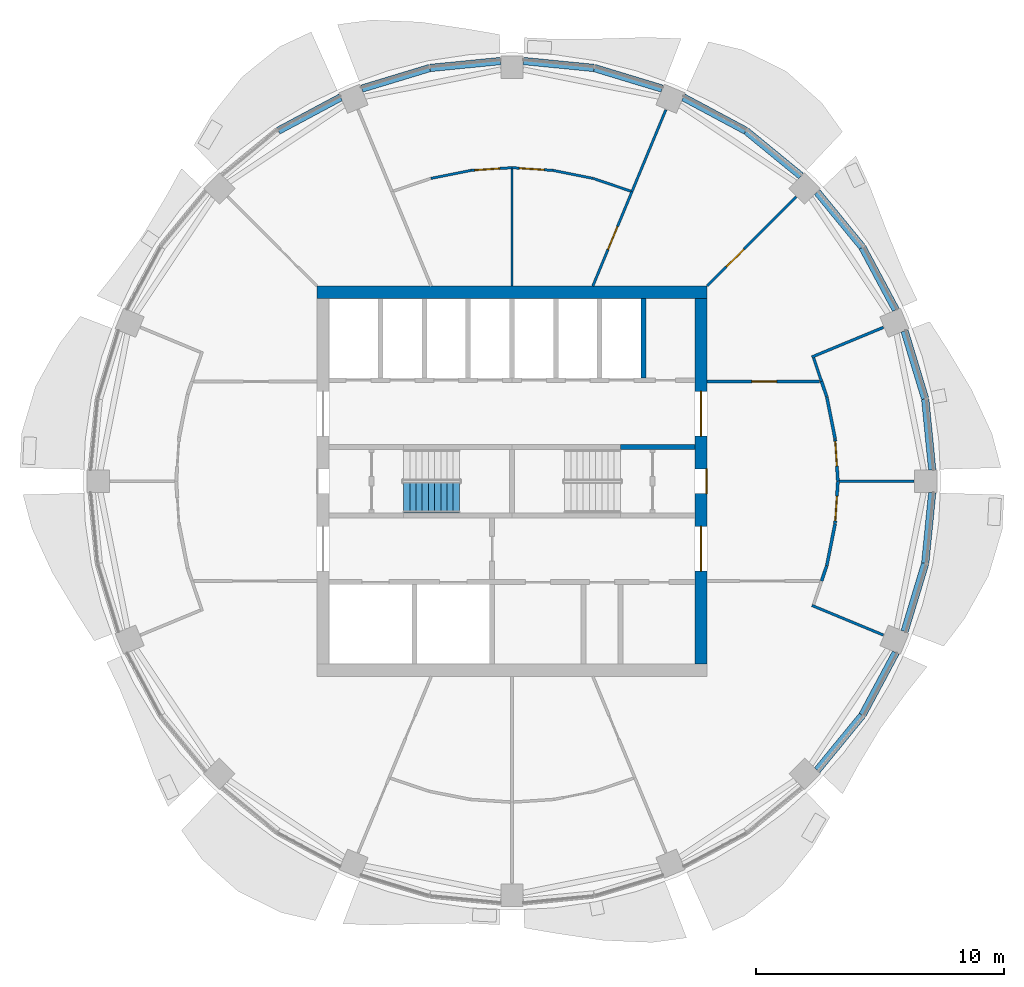
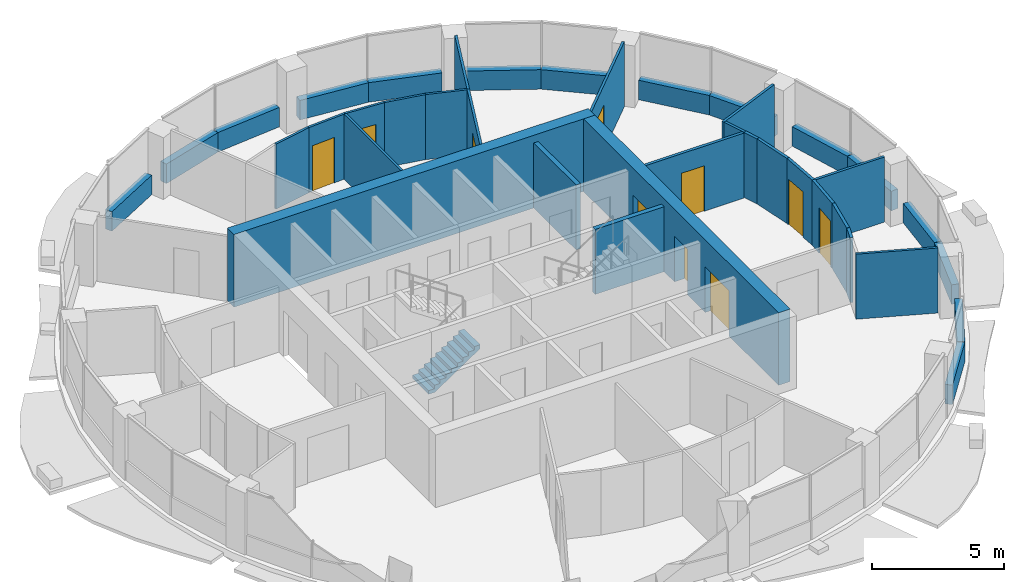
# One storey, part 10 of 15: 39 walls, 10 doors, 1 stair flight, 10 openings, 1 element without a shape of its own.
"""IFC4 building model written with IfcOpenShell, lengths in metres."""

from ifc_helpers import new_model, si_unit, direction, frame, frame_2d, origin, place, context, subcontext, project, spatial, polyline, rectangle, outline, extrude, material, layer, layer_set, type_object, element, fill, aggregate, save


model = new_model("IFC4")

# Units and contexts
model_context = context("Model", 3, precision=1e-05, world=origin(), true_north=direction((0.0, 1.0)))
body_context = subcontext(model_context, "Body", "Model", "MODEL_VIEW")
ifc_project = project(units=[si_unit("LENGTHUNIT", "METRE"), si_unit("AREAUNIT", "SQUARE_METRE"), si_unit("VOLUMEUNIT", "CUBIC_METRE"), si_unit("PLANEANGLEUNIT", "RADIAN"), si_unit("MASSUNIT", "GRAM", prefix="KILO")], contexts=[model_context])

# Site, building, storey
site_placement = place(None, origin())
site = spatial("IfcSite", under=ifc_project, at=site_placement, CompositionType="ELEMENT")
building_placement = place(site_placement, origin())
building = spatial("IfcBuilding", under=site, at=building_placement, Name="Polderwave Tower", CompositionType="ELEMENT")
storey_placement = place(building_placement, frame((0.0, 0.0, 201.050048828125)))
storey = spatial("IfcBuildingStorey", under=building, at=storey_placement, Name="L54", CompositionType="ELEMENT", Elevation=201.050048828125)

# Wall
ifc_material_1 = material(Name="Concrete C60/75", Category="concrete")
ifc_layer_1 = layer(ifc_material_1, 0.5)
ifc_layer_set_1 = layer_set([ifc_layer_1], Name="CORE WALL 500 C60/75")
wall_type_1 = type_object("IfcWallType", Name="CORE WALL 500 C60/75", PredefinedType="SHEAR", material=ifc_layer_set_1)
wall_1_placement = place(storey_placement, frame((-7.8740234375, 7.6240234375, 0.0), z_axis=(0.0, 0.0, 1.0), x_axis=(1.0, 0.0, 0.0)))
element("IfcWall", 1, at=wall_1_placement, inside=storey, type_object=wall_type_1, Name="ST-CORE-L54-N", PredefinedType="SHEAR", context=body_context, shape_type="SweptSolid", body=[
    extrude(rectangle(XDim=15.748046875, YDim=0.5, at=frame_2d((7.8740234375, 0.0))), origin(), (0.0, 0.0, 1.0), 3.349853515625),
])

# Wall, openings, doors
wall_2_placement = place(storey_placement, frame((7.6240234375, -7.3740234375, 0.0), z_axis=(0.0, 0.0, 1.0), x_axis=(0.0, 1.0, 0.0)))
wall_2 = element("IfcWall", 2, at=wall_2_placement, inside=storey, type_object=wall_type_1, Name="ST-CORE-L54-E", PredefinedType="SHEAR", context=body_context, shape_type="SweptSolid", body=[
    extrude(rectangle(XDim=14.748046875, YDim=0.5, at=frame_2d((7.3740234375, 0.0))), origin(), (0.0, 0.0, 1.0), 3.349853515625),
])
opening_1_placement = place(wall_2_placement, frame((6.8740234375, 0.0, 0.0)))
opening_1 = element("IfcOpeningElement", 3, at=opening_1_placement, cuts=wall_2, Name="Opening L54-D22", PredefinedType="OPENING", context=body_context, shape_type="SweptSolid", body=[
    extrude(rectangle(XDim=1.0, YDim=2.10009765625, at=frame_2d((0.5, 1.050048828125))), frame((0.0, 0.260009765625, 0.0), z_axis=(0.0, -1.0, 0.0), x_axis=(1.0, 0.0, 0.0)), (0.0, 0.0, 1.0), 0.52001953125),
])
opening_2_placement = place(wall_2_placement, frame((3.74951171875, 0.0, 0.0)))
opening_2 = element("IfcOpeningElement", 4, at=opening_2_placement, cuts=wall_2, Name="Opening L54-D23", PredefinedType="OPENING", context=body_context, shape_type="SweptSolid", body=[
    extrude(rectangle(XDim=1.800048828125, YDim=2.10009765625, at=frame_2d((0.89990234375, 1.050048828125))), frame((0.0, 0.260009765625, 0.0), z_axis=(0.0, -1.0, 0.0), x_axis=(1.0, 0.0, 0.0)), (0.0, 0.0, 1.0), 0.52001953125),
])
opening_3_placement = place(wall_2_placement, frame((9.198486328125, 0.0, 0.0)))
opening_3 = element("IfcOpeningElement", 5, at=opening_3_placement, cuts=wall_2, Name="Opening L54-D24", PredefinedType="OPENING", context=body_context, shape_type="SweptSolid", body=[
    extrude(rectangle(XDim=1.800048828125, YDim=2.10009765625, at=frame_2d((0.89990234375, 1.050048828125))), frame((0.0, 0.260009765625, 0.0), z_axis=(0.0, -1.0, 0.0), x_axis=(1.0, 0.0, 0.0)), (0.0, 0.0, 1.0), 0.52001953125),
])
ifc_material_2 = material(Name="Steel fire door", Category="steel")
door_type_1 = type_object("IfcDoorType", Name="Lobby entry door pair 1800", OperationType="DOUBLE_DOOR_SINGLE_SWING", PredefinedType="DOOR", material=ifc_material_2)
door_1_placement = place(opening_2_placement, frame((1.800048828125, 0.0, 0.0), z_axis=(0.0, 0.0, 1.0), x_axis=(-1.0, 0.0, 0.0)))
door_1 = element("IfcDoor", 6, at=door_1_placement, inside=storey, type_object=door_type_1, Name="South lobby entry door", OperationType="DOUBLE_DOOR_SINGLE_SWING", OverallHeight=2.10009765625, OverallWidth=1.800048828125, PredefinedType="DOOR", context=body_context, shape_type="SweptSolid", body=[
    extrude(rectangle(XDim=1.800048828125, YDim=2.10009765625, at=frame_2d((0.89990234375, 1.050048828125))), frame((0.0, 0.02490234375, 0.0), z_axis=(0.0, -1.0, 0.0), x_axis=(1.0, 0.0, 0.0)), (0.0, 0.0, 1.0), 0.050048828125),
])
fill(opening_2, door_1)
door_2_placement = place(opening_3_placement, frame((1.800048828125, 0.0, 0.0), z_axis=(0.0, 0.0, 1.0), x_axis=(-1.0, 0.0, 0.0)))
door_2 = element("IfcDoor", 7, at=door_2_placement, inside=storey, type_object=door_type_1, Name="North lobby entry door", OperationType="DOUBLE_DOOR_SINGLE_SWING", OverallHeight=2.10009765625, OverallWidth=1.800048828125, PredefinedType="DOOR", context=body_context, shape_type="SweptSolid", body=[
    extrude(rectangle(XDim=1.800048828125, YDim=2.10009765625, at=frame_2d((0.89990234375, 1.050048828125))), frame((0.0, 0.02490234375, 0.0), z_axis=(0.0, -1.0, 0.0), x_axis=(1.0, 0.0, 0.0)), (0.0, 0.0, 1.0), 0.050048828125),
])
fill(opening_3, door_2)
door_type_2 = type_object("IfcDoorType", Name="Stair door 1000", OperationType="NOTDEFINED", PredefinedType="DOOR", material=ifc_material_2)
door_3_placement = place(opening_1_placement, frame((1.0, 0.0, 0.0), z_axis=(0.0, 0.0, 1.0), x_axis=(-1.0, 0.0, 0.0)))
door_3 = element("IfcDoor", 8, at=door_3_placement, inside=storey, type_object=door_type_2, Name="Stair B entry door", OperationType="SINGLE_SWING_LEFT", OverallHeight=2.10009765625, OverallWidth=1.0, PredefinedType="DOOR", context=body_context, shape_type="SweptSolid", body=[
    extrude(rectangle(XDim=1.0, YDim=2.10009765625, at=frame_2d((0.5, 1.050048828125))), frame((0.0, 0.25, 0.0), z_axis=(0.0, -1.0, 0.0), x_axis=(1.0, 0.0, 0.0)), (0.0, 0.0, 1.0), 0.050048828125),
])
fill(opening_1, door_3)

# Walls
ifc_material_3 = material(Name="Concrete C50/60 (board-marked)", Category="concrete")
ifc_layer_2 = layer(ifc_material_3, 0.300048828125)
ifc_layer_set_2 = layer_set([ifc_layer_2], Name="Concrete spandrel upstand C50/60")
wall_type_2 = type_object("IfcWallType", Name="Concrete spandrel upstand C50/60", PredefinedType="SOLIDWALL", material=ifc_layer_set_2)
wall_3_placement = place(storey_placement, frame((16.95458984375, 0.4638671875, 0.0), z_axis=(0.0, 0.0, 1.0), x_axis=(-0.098223350935, 0.995164395128, 0.0)))
element("IfcWall", 9, at=wall_3_placement, inside=storey, type_object=wall_type_2, Name="Spandrel L54 1a", PredefinedType="SOLIDWALL", context=body_context, shape_type="SweptSolid", body=[
    extrude(rectangle(XDim=2.850830078125, YDim=0.300048828125, at=frame_2d((1.42529296875, 0.0))), origin(), (0.0, 0.0, 1.0), 0.89990234375),
])
wall_4_placement = place(storey_placement, frame((16.668701171875, 3.330322265625, 0.0), z_axis=(0.0, 0.0, 1.0), x_axis=(-0.290432618929, 0.956895445627, 0.0)))
element("IfcWall", 10, at=wall_4_placement, inside=storey, type_object=wall_type_2, Name="Spandrel L54 1b", PredefinedType="SOLIDWALL", context=body_context, shape_type="SweptSolid", body=[
    extrude(rectangle(XDim=2.852294921875, YDim=0.300048828125, at=frame_2d((1.42626953125, 0.0))), origin(), (0.0, 0.0, 1.0), 0.89990234375),
])
wall_5_placement = place(storey_placement, frame((15.48583984375, 6.917236328125, 0.0), z_axis=(0.0, 0.0, 1.0), x_axis=(-0.471441594872, 0.881897285756, 0.0)))
element("IfcWall", 11, at=wall_5_placement, inside=storey, type_object=wall_type_2, Name="Spandrel L54 2a", PredefinedType="SOLIDWALL", context=body_context, shape_type="SweptSolid", body=[
    extrude(rectangle(XDim=2.850341796875, YDim=0.300048828125, at=frame_2d((1.42529296875, 0.0))), origin(), (0.0, 0.0, 1.0), 0.89990234375),
])
for number, where, z_axis, x_axis, name in (
    (12, (14.12548828125, 9.45556640625, 0.0), (0.0, 0.0, 1.0), (-0.634146109242, 0.773213238462, 0.0), "Spandrel L54 2b"),
    (13, (11.661376953125, 12.31640625, 0.0), (0.0, 0.0, 1.0), (-0.773213238462, 0.634146109242, 0.0), "Spandrel L54 3a"),
):
    element("IfcWall", number, at=place(storey_placement, frame(where, z_axis=z_axis, x_axis=x_axis)), inside=storey, type_object=wall_type_2, Name=name, PredefinedType="SOLIDWALL", context=body_context, shape_type="SweptSolid", body=[
        extrude(rectangle(XDim=2.852783203125, YDim=0.300048828125, at=frame_2d((1.42626953125, 0.0))), origin(), (0.0, 0.0, 1.0), 0.89990234375),
    ])
wall_6_placement = place(storey_placement, frame((9.430908203125, 14.14208984375, 0.0), z_axis=(0.0, 0.0, 1.0), x_axis=(-0.881897285756, 0.471441594872, 0.0)))
element("IfcWall", 14, at=wall_6_placement, inside=storey, type_object=wall_type_2, Name="Spandrel L54 3b", PredefinedType="SOLIDWALL", context=body_context, shape_type="SweptSolid", body=[
    extrude(rectangle(XDim=2.850341796875, YDim=0.300048828125, at=frame_2d((1.42529296875, 0.0))), origin(), (0.0, 0.0, 1.0), 0.89990234375),
])
wall_7_placement = place(storey_placement, frame((6.0595703125, 15.84033203125, 0.0), z_axis=(0.0, 0.0, 1.0), x_axis=(-0.956895445627, 0.290432618929, 0.0)))
element("IfcWall", 15, at=wall_7_placement, inside=storey, type_object=wall_type_2, Name="Spandrel L54 4a", PredefinedType="SOLIDWALL", context=body_context, shape_type="SweptSolid", body=[
    extrude(rectangle(XDim=2.852294921875, YDim=0.300048828125, at=frame_2d((1.42626953125, 0.0))), origin(), (0.0, 0.0, 1.0), 0.89990234375),
])
for number, where, z_axis, x_axis, name in (
    (16, (3.301025390625, 16.674560546875, 0.0), (0.0, 0.0, 1.0), (-0.995164395128, 0.098223350935, 0.0), "Spandrel L54 4b"),
    (17, (-0.4638671875, 16.95458984375, 0.0), (0.0, 0.0, 1.0), (-0.995164395128, -0.098223350935, 0.0), "Spandrel L54 5a"),
):
    element("IfcWall", number, at=place(storey_placement, frame(where, z_axis=z_axis, x_axis=x_axis)), inside=storey, type_object=wall_type_2, Name=name, PredefinedType="SOLIDWALL", context=body_context, shape_type="SweptSolid", body=[
        extrude(rectangle(XDim=2.850830078125, YDim=0.300048828125, at=frame_2d((1.42529296875, 0.0))), origin(), (0.0, 0.0, 1.0), 0.89990234375),
    ])
wall_8_placement = place(storey_placement, frame((-3.330322265625, 16.668701171875, 0.0), z_axis=(0.0, 0.0, 1.0), x_axis=(-0.956895445627, -0.290432618929, 0.0)))
element("IfcWall", 18, at=wall_8_placement, inside=storey, type_object=wall_type_2, Name="Spandrel L54 5b", PredefinedType="SOLIDWALL", context=body_context, shape_type="SweptSolid", body=[
    extrude(rectangle(XDim=2.852294921875, YDim=0.300048828125, at=frame_2d((1.42626953125, 0.0))), origin(), (0.0, 0.0, 1.0), 0.89990234375),
])
wall_9_placement = place(storey_placement, frame((-6.917236328125, 15.48583984375, 0.0), z_axis=(0.0, 0.0, 1.0), x_axis=(-0.881897285756, -0.471441594872, 0.0)))
element("IfcWall", 19, at=wall_9_placement, inside=storey, type_object=wall_type_2, Name="Spandrel L54 6a", PredefinedType="SOLIDWALL", context=body_context, shape_type="SweptSolid", body=[
    extrude(rectangle(XDim=2.850341796875, YDim=0.300048828125, at=frame_2d((1.42529296875, 0.0))), origin(), (0.0, 0.0, 1.0), 0.89990234375),
])
wall_10_placement = place(storey_placement, frame((12.31640625, -11.661376953125, 0.0), z_axis=(0.0, 0.0, 1.0), x_axis=(0.634146109242, 0.773213238462, 0.0)))
element("IfcWall", 20, at=wall_10_placement, inside=storey, type_object=wall_type_2, Name="Spandrel L54 15a", PredefinedType="SOLIDWALL", context=body_context, shape_type="SweptSolid", body=[
    extrude(rectangle(XDim=2.852783203125, YDim=0.300048828125, at=frame_2d((1.42626953125, 0.0))), origin(), (0.0, 0.0, 1.0), 0.89990234375),
])
wall_11_placement = place(storey_placement, frame((14.14208984375, -9.430908203125, 0.0), z_axis=(0.0, 0.0, 1.0), x_axis=(0.471441594872, 0.881897285756, 0.0)))
element("IfcWall", 21, at=wall_11_placement, inside=storey, type_object=wall_type_2, Name="Spandrel L54 15b", PredefinedType="SOLIDWALL", context=body_context, shape_type="SweptSolid", body=[
    extrude(rectangle(XDim=2.850341796875, YDim=0.300048828125, at=frame_2d((1.42529296875, 0.0))), origin(), (0.0, 0.0, 1.0), 0.89990234375),
])
wall_12_placement = place(storey_placement, frame((15.84033203125, -6.0595703125, 0.0), z_axis=(0.0, 0.0, 1.0), x_axis=(0.290432618929, 0.956895445627, 0.0)))
element("IfcWall", 22, at=wall_12_placement, inside=storey, type_object=wall_type_2, Name="Spandrel L54 16a", PredefinedType="SOLIDWALL", context=body_context, shape_type="SweptSolid", body=[
    extrude(rectangle(XDim=2.852294921875, YDim=0.300048828125, at=frame_2d((1.42626953125, 0.0))), origin(), (0.0, 0.0, 1.0), 0.89990234375),
])
wall_13_placement = place(storey_placement, frame((16.674560546875, -3.301025390625, 0.0), z_axis=(0.0, 0.0, 1.0), x_axis=(0.098223350935, 0.995164395128, 0.0)))
element("IfcWall", 23, at=wall_13_placement, inside=storey, type_object=wall_type_2, Name="Spandrel L54 16b", PredefinedType="SOLIDWALL", context=body_context, shape_type="SweptSolid", body=[
    extrude(rectangle(XDim=2.850830078125, YDim=0.300048828125, at=frame_2d((1.42529296875, 0.0))), origin(), (0.0, 0.0, 1.0), 0.89990234375),
])
ifc_material_4 = material(Name="Concrete C50/60", Category="concrete")
ifc_layer_3 = layer(ifc_material_4, 0.199951171875)
ifc_layer_set_3 = layer_set([ifc_layer_3], Name="Core web wall 200")
wall_type_3 = type_object("IfcWallType", Name="Core web wall 200", PredefinedType="SHEAR", material=ifc_layer_set_3)
wall_14_placement = place(storey_placement, frame((4.3740234375, 1.375, 0.0), z_axis=(0.0, 0.0, 1.0), x_axis=(1.0, 0.0, 0.0)))
element("IfcWall", 24, at=wall_14_placement, inside=storey, type_object=wall_type_3, Name="L54 north stair wall 4", PredefinedType="SHEAR", context=body_context, shape_type="SweptSolid", body=[
    extrude(rectangle(XDim=3.0, YDim=0.199951171875, at=frame_2d((1.5, 0.0))), origin(), (0.0, 0.0, 1.0), 3.0),
])
ifc_material_5 = material(Name="Fire-resisting board on steel studs", Category="steel")
ifc_layer_4 = layer(ifc_material_5, 0.125)
ifc_layer_set_4 = layer_set([ifc_layer_4], Name="Corridor wall 125 mm EI 60")
wall_type_4 = type_object("IfcWallType", Name="Corridor wall 125 mm EI 60", PredefinedType="PARTITIONING", material=ifc_layer_set_4)
wall_15_placement = place(storey_placement, frame((12.4912109375, 4.0244140625, 0.0), z_axis=(0.0, 0.0, 1.0), x_axis=(0.321506357846, -0.946907419902, 0.0)))
element("IfcWall", 25, at=wall_15_placement, inside=storey, type_object=wall_type_4, Name="IN-L54-W001", PredefinedType="PARTITIONING", context=body_context, shape_type="SweptSolid", body=[
    extrude(rectangle(XDim=0.651611328125, YDim=0.125, at=frame_2d((0.32568359375, 0.0))), origin(), (0.0, 0.0, 1.0), 3.0),
])
wall_16_placement = place(storey_placement, frame((12.70263671875, 3.3994140625, 0.0), z_axis=(0.0, 0.0, 1.0), x_axis=(0.195101249107, -0.980783106806, 0.0)))
element("IfcWall", 26, at=wall_16_placement, inside=storey, type_object=wall_type_4, Name="IN-L54-W002", PredefinedType="PARTITIONING", context=body_context, shape_type="SweptSolid", body=[
    extrude(rectangle(XDim=1.7119140625, YDim=0.125, at=frame_2d((0.85595703125, 0.0))), origin(), (0.0, 0.0, 1.0), 3.0),
])

# Wall, opening, door
wall_17_placement = place(storey_placement, frame((13.037841796875, 1.71240234375, 0.0), z_axis=(0.0, 0.0, 1.0), x_axis=(0.065300872496, -0.997865620237, 0.0)))
wall_17 = element("IfcWall", 27, at=wall_17_placement, inside=storey, type_object=wall_type_4, Name="IN-L54-W003", PredefinedType="PARTITIONING", context=body_context, shape_type="SweptSolid", body=[
    extrude(rectangle(XDim=1.716064453125, YDim=0.125, at=frame_2d((0.85791015625, 0.0))), origin(), (0.0, 0.0, 1.0), 3.0),
])
opening_4_placement = place(wall_17_placement, frame((0.10009765625, 0.0, 0.0)))
opening_4 = element("IfcOpeningElement", 28, at=opening_4_placement, cuts=wall_17, Name="Opening L54-D50", PredefinedType="OPENING", context=body_context, shape_type="SweptSolid", body=[
    extrude(rectangle(XDim=1.0, YDim=2.10009765625, at=frame_2d((0.5, 1.050048828125))), frame((0.0, 0.072509765625, 0.0), z_axis=(0.0, -1.0, 0.0), x_axis=(1.0, 0.0, 0.0)), (0.0, 0.0, 1.0), 0.14501953125),
])
ifc_material_6 = material(Name="Timber fire door leaf", Category="wood")
door_type_3 = type_object("IfcDoorType", Name="Fire door FD30S 1000 x 2100", OperationType="NOTDEFINED", PredefinedType="DOOR", material=ifc_material_6)
door_4_placement = place(opening_4_placement, origin())
door_4 = element("IfcDoor", 29, at=door_4_placement, inside=storey, type_object=door_type_3, Name="Door L54-D50", OperationType="SINGLE_SWING_LEFT", OverallHeight=2.10009765625, OverallWidth=1.0, PredefinedType="DOOR", context=body_context, shape_type="SweptSolid", body=[
    extrude(rectangle(XDim=1.0, YDim=2.10009765625, at=frame_2d((0.5, 1.050048828125))), frame((0.0, 0.02490234375, 0.0), z_axis=(0.0, -1.0, 0.0), x_axis=(1.0, 0.0, 0.0)), (0.0, 0.0, 1.0), 0.050048828125),
])
fill(opening_4, door_4)

wall_18_placement = place(storey_placement, frame((7.8740234375, 4.0244140625, 0.0), z_axis=(0.0, 0.0, 1.0), x_axis=(1.0, 0.0, 0.0)))
wall_18 = element("IfcWall", 30, at=wall_18_placement, inside=storey, type_object=wall_type_4, Name="IN-L54-W004", PredefinedType="PARTITIONING", context=body_context, shape_type="SweptSolid", body=[
    extrude(rectangle(XDim=4.52978515625, YDim=0.125, at=frame_2d((2.264892578125, 0.0))), origin(), (0.0, 0.0, 1.0), 3.0),
])
opening_5_placement = place(wall_18_placement, frame((1.800048828125, 0.0, 0.0)))
opening_5 = element("IfcOpeningElement", 31, at=opening_5_placement, cuts=wall_18, Name="Opening L54-D51", PredefinedType="OPENING", context=body_context, shape_type="SweptSolid", body=[
    extrude(rectangle(XDim=1.0, YDim=2.10009765625, at=frame_2d((0.5, 1.050048828125))), frame((0.0, 0.072509765625, 0.0), z_axis=(0.0, -1.0, 0.0), x_axis=(1.0, 0.0, 0.0)), (0.0, 0.0, 1.0), 0.14501953125),
])
door_5_placement = place(opening_5_placement, origin())
door_5 = element("IfcDoor", 32, at=door_5_placement, inside=storey, type_object=door_type_3, Name="Door L54-D51", OperationType="SINGLE_SWING_RIGHT", OverallHeight=2.10009765625, OverallWidth=1.0, PredefinedType="DOOR", context=body_context, shape_type="SweptSolid", body=[
    extrude(rectangle(XDim=1.0, YDim=2.10009765625, at=frame_2d((0.5, 1.050048828125))), frame((0.0, 0.02490234375, 0.0), z_axis=(0.0, -1.0, 0.0), x_axis=(1.0, 0.0, 0.0)), (0.0, 0.0, 1.0), 0.050048828125),
])
fill(opening_5, door_5)

# Walls
wall_19_placement = place(storey_placement, frame((12.70068359375, -3.407470703125, 0.0), z_axis=(0.0, 0.0, 1.0), x_axis=(-0.321506357846, -0.946907419902, 0.0)))
element("IfcWall", 33, at=wall_19_placement, inside=storey, type_object=wall_type_4, Name="IN-L54-W006", PredefinedType="PARTITIONING", context=body_context, shape_type="SweptSolid", body=[
    extrude(rectangle(XDim=0.651611328125, YDim=0.125, at=frame_2d((0.32568359375, 0.0))), origin(), (0.0, 0.0, 1.0), 3.0),
])
wall_20_placement = place(storey_placement, frame((13.03662109375, -1.720458984375, 0.0), z_axis=(0.0, 0.0, 1.0), x_axis=(-0.195101249107, -0.980783106806, 0.0)))
element("IfcWall", 34, at=wall_20_placement, inside=storey, type_object=wall_type_4, Name="IN-L54-W007", PredefinedType="PARTITIONING", context=body_context, shape_type="SweptSolid", body=[
    extrude(rectangle(XDim=1.7119140625, YDim=0.125, at=frame_2d((0.85595703125, 0.0))), origin(), (0.0, 0.0, 1.0), 3.0),
])

# Wall, opening, door
wall_21_placement = place(storey_placement, frame((13.14990234375, 0.0, 0.0), z_axis=(0.0, 0.0, 1.0), x_axis=(-0.065300872496, -0.997865620237, 0.0)))
wall_21 = element("IfcWall", 35, at=wall_21_placement, inside=storey, type_object=wall_type_4, Name="IN-L54-W008", PredefinedType="PARTITIONING", context=body_context, shape_type="SweptSolid", body=[
    extrude(rectangle(XDim=1.716064453125, YDim=0.125, at=frame_2d((0.85791015625, 0.0))), origin(), (0.0, 0.0, 1.0), 3.0),
])
opening_6_placement = place(wall_21_placement, frame((0.60009765625, 0.0, 0.0)))
opening_6 = element("IfcOpeningElement", 36, at=opening_6_placement, cuts=wall_21, Name="Opening L54-D53", PredefinedType="OPENING", context=body_context, shape_type="SweptSolid", body=[
    extrude(rectangle(XDim=1.0, YDim=2.10009765625, at=frame_2d((0.5, 1.050048828125))), frame((0.0, 0.072509765625, 0.0), z_axis=(0.0, -1.0, 0.0), x_axis=(1.0, 0.0, 0.0)), (0.0, 0.0, 1.0), 0.14501953125),
])
door_6_placement = place(opening_6_placement, origin())
door_6 = element("IfcDoor", 37, at=door_6_placement, inside=storey, type_object=door_type_3, Name="Door L54-D53", OperationType="SINGLE_SWING_RIGHT", OverallHeight=2.10009765625, OverallWidth=1.0, PredefinedType="DOOR", context=body_context, shape_type="SweptSolid", body=[
    extrude(rectangle(XDim=1.0, YDim=2.10009765625, at=frame_2d((0.5, 1.050048828125))), frame((0.0, 0.02490234375, 0.0), z_axis=(0.0, -1.0, 0.0), x_axis=(1.0, 0.0, 0.0)), (0.0, 0.0, 1.0), 0.050048828125),
])
fill(opening_6, door_6)

ifc_material_7 = material(Name="Plasterboard on steel studs", Category="steel")
ifc_layer_5 = layer(ifc_material_7, 0.10009765625)
ifc_layer_set_5 = layer_set([ifc_layer_5], Name="Partition 100 mm plasterboard on steel studs")
wall_type_5 = type_object("IfcWallType", Name="Partition 100 mm plasterboard on steel studs", PredefinedType="PARTITIONING", material=ifc_layer_set_5)
wall_22_placement = place(storey_placement, frame((7.8740234375, 7.8740234375, 0.0), z_axis=(0.0, 0.0, 1.0), x_axis=(0.707106781187, 0.707106781187, 0.0)))
wall_22 = element("IfcWall", 38, at=wall_22_placement, inside=storey, type_object=wall_type_5, Name="IN-L54-W020", PredefinedType="PARTITIONING", context=body_context, shape_type="SweptSolid", body=[
    extrude(rectangle(XDim=5.08447265625, YDim=0.10009765625, at=frame_2d((2.542236328125, 0.0))), origin(), (0.0, 0.0, 1.0), 3.0),
])
opening_7_placement = place(wall_22_placement, frame((1.10009765625, 0.0, 0.0)))
opening_7 = element("IfcOpeningElement", 39, at=opening_7_placement, cuts=wall_22, Name="Opening L54-D58", PredefinedType="OPENING", context=body_context, shape_type="SweptSolid", body=[
    extrude(rectangle(XDim=1.0, YDim=2.10009765625, at=frame_2d((0.5, 1.050048828125))), frame((0.0, 0.06005859375, 0.0), z_axis=(0.0, -1.0, 0.0), x_axis=(1.0, 0.0, 0.0)), (0.0, 0.0, 1.0), 0.1201171875),
])
ifc_material_8 = material(Name="Timber veneer door leaf", Category="wood")
door_type_4 = type_object("IfcDoorType", Name="Single door 1000 x 2100", OperationType="NOTDEFINED", PredefinedType="DOOR", material=ifc_material_8)
door_7_placement = place(opening_7_placement, origin())
door_7 = element("IfcDoor", 40, at=door_7_placement, inside=storey, type_object=door_type_4, Name="Door L54-D58", OperationType="SINGLE_SWING_LEFT", OverallHeight=2.10009765625, OverallWidth=1.0, PredefinedType="DOOR", context=body_context, shape_type="SweptSolid", body=[
    extrude(rectangle(XDim=1.0, YDim=2.10009765625, at=frame_2d((0.5, 1.050048828125))), frame((0.0, 0.02490234375, 0.0), z_axis=(0.0, -1.0, 0.0), x_axis=(1.0, 0.0, 0.0)), (0.0, 0.0, 1.0), 0.050048828125),
])
fill(opening_7, door_7)

wall_23_placement = place(storey_placement, frame((3.261474609375, 7.8740234375, 0.0), z_axis=(0.0, 0.0, 1.0), x_axis=(0.382673969281, 0.923883452192, 0.0)))
wall_23 = element("IfcWall", 41, at=wall_23_placement, inside=storey, type_object=wall_type_5, Name="IN-L54-W021", PredefinedType="PARTITIONING", context=body_context, shape_type="SweptSolid", body=[
    extrude(rectangle(XDim=4.127197265625, YDim=0.10009765625, at=frame_2d((2.0634765625, 0.0))), origin(), (0.0, 0.0, 1.0), 3.0),
])
opening_8_placement = place(wall_23_placement, frame((1.60009765625, 0.0, 0.0)))
opening_8 = element("IfcOpeningElement", 42, at=opening_8_placement, cuts=wall_23, Name="Opening L54-D59", PredefinedType="OPENING", context=body_context, shape_type="SweptSolid", body=[
    extrude(rectangle(XDim=1.0, YDim=2.10009765625, at=frame_2d((0.5, 1.050048828125))), frame((0.0, 0.06005859375, 0.0), z_axis=(0.0, -1.0, 0.0), x_axis=(1.0, 0.0, 0.0)), (0.0, 0.0, 1.0), 0.1201171875),
])
door_8_placement = place(opening_8_placement, origin())
door_8 = element("IfcDoor", 43, at=door_8_placement, inside=storey, type_object=door_type_4, Name="Door L54-D59", OperationType="SINGLE_SWING_RIGHT", OverallHeight=2.10009765625, OverallWidth=1.0, PredefinedType="DOOR", context=body_context, shape_type="SweptSolid", body=[
    extrude(rectangle(XDim=1.0, YDim=2.10009765625, at=frame_2d((0.5, 1.050048828125))), frame((0.0, 0.02490234375, 0.0), z_axis=(0.0, -1.0, 0.0), x_axis=(1.0, 0.0, 0.0)), (0.0, 0.0, 1.0), 0.050048828125),
])
fill(opening_8, door_8)

# Wall
wall_24_placement = place(storey_placement, frame((4.8408203125, 11.68701171875, 0.0), z_axis=(0.0, 0.0, 1.0), x_axis=(0.382681959822, 0.923880142457, 0.0)))
element("IfcWall", 44, at=wall_24_placement, inside=storey, type_object=wall_type_5, Name="IN-L54-W022", PredefinedType="PARTITIONING", context=body_context, shape_type="SweptSolid", body=[
    extrude(rectangle(XDim=3.570068359375, YDim=0.10009765625, at=frame_2d((1.78515625, 0.0))), origin(), (0.0, 0.0, 1.0), 3.0),
])

# Wall, opening, door
wall_25_placement = place(storey_placement, frame((0.0, 12.64990234375, 0.0), z_axis=(0.0, 0.0, 1.0), x_axis=(0.997862957787, -0.065341544791, 0.0)))
wall_25 = element("IfcWall", 45, at=wall_25_placement, inside=storey, type_object=wall_type_5, Name="IN-L54-W023", PredefinedType="PARTITIONING", context=body_context, shape_type="SweptSolid", body=[
    extrude(rectangle(XDim=1.6513671875, YDim=0.10009765625, at=frame_2d((0.82568359375, 0.0))), origin(), (0.0, 0.0, 1.0), 3.0),
])
opening_9_placement = place(wall_25_placement, frame((0.300048828125, 0.0, 0.0)))
opening_9 = element("IfcOpeningElement", 46, at=opening_9_placement, cuts=wall_25, Name="Opening L54-D60", PredefinedType="OPENING", context=body_context, shape_type="SweptSolid", body=[
    extrude(rectangle(XDim=1.0, YDim=2.10009765625, at=frame_2d((0.5, 1.050048828125))), frame((0.0, 0.06005859375, 0.0), z_axis=(0.0, -1.0, 0.0), x_axis=(1.0, 0.0, 0.0)), (0.0, 0.0, 1.0), 0.1201171875),
])
door_9_placement = place(opening_9_placement, origin())
door_9 = element("IfcDoor", 47, at=door_9_placement, inside=storey, type_object=door_type_4, Name="Door L54-D60", OperationType="SINGLE_SWING_LEFT", OverallHeight=2.10009765625, OverallWidth=1.0, PredefinedType="DOOR", context=body_context, shape_type="SweptSolid", body=[
    extrude(rectangle(XDim=1.0, YDim=2.10009765625, at=frame_2d((0.5, 1.050048828125))), frame((0.0, 0.02490234375, 0.0), z_axis=(0.0, -1.0, 0.0), x_axis=(1.0, 0.0, 0.0)), (0.0, 0.0, 1.0), 0.050048828125),
])
fill(opening_9, door_9)

# Walls
wall_26_placement = place(storey_placement, frame((1.654296875, 12.541259765625, 0.0), z_axis=(0.0, 0.0, 1.0), x_axis=(0.98076253728, -0.195204624605, 0.0)))
element("IfcWall", 48, at=wall_26_placement, inside=storey, type_object=wall_type_5, Name="IN-L54-W024", PredefinedType="PARTITIONING", context=body_context, shape_type="SweptSolid", body=[
    extrude(rectangle(XDim=1.6484375, YDim=0.10009765625, at=frame_2d((0.82421875, 0.0))), origin(), (0.0, 0.0, 1.0), 3.0),
])
wall_27_placement = place(storey_placement, frame((3.277099609375, 12.218017578125, 0.0), z_axis=(0.0, 0.0, 1.0), x_axis=(0.946927222845, -0.321448027891, 0.0)))
element("IfcWall", 49, at=wall_27_placement, inside=storey, type_object=wall_type_5, Name="IN-L54-W025", PredefinedType="PARTITIONING", context=body_context, shape_type="SweptSolid", body=[
    extrude(rectangle(XDim=1.597900390625, YDim=0.10009765625, at=frame_2d((0.798828125, 0.0))), origin(), (0.0, 0.0, 1.0), 3.0),
])
wall_28_placement = place(storey_placement, frame((0.0, 7.8740234375, 0.0), z_axis=(0.0, 0.0, 1.0), x_axis=(0.0, 1.0, 0.0)))
element("IfcWall", 50, at=wall_28_placement, inside=storey, type_object=wall_type_5, Name="IN-L54-W026", PredefinedType="PARTITIONING", context=body_context, shape_type="SweptSolid", body=[
    extrude(rectangle(XDim=4.72265625, YDim=0.10009765625, at=frame_2d((2.361328125, 0.0))), origin(), (0.0, 0.0, 1.0), 3.0),
])
wall_29_placement = place(storey_placement, frame((-1.654296875, 12.541259765625, 0.0), z_axis=(0.0, 0.0, 1.0), x_axis=(-0.98076253728, -0.195204624605, 0.0)))
element("IfcWall", 51, at=wall_29_placement, inside=storey, type_object=wall_type_5, Name="IN-L54-W028", PredefinedType="PARTITIONING", context=body_context, shape_type="SweptSolid", body=[
    extrude(rectangle(XDim=1.6484375, YDim=0.10009765625, at=frame_2d((0.82421875, 0.0))), origin(), (0.0, 0.0, 1.0), 3.0),
])

# Wall, opening, door
wall_30_placement = place(storey_placement, frame((0.0, 12.64990234375, 0.0), z_axis=(0.0, 0.0, 1.0), x_axis=(-0.997862957787, -0.065341544791, 0.0)))
wall_30 = element("IfcWall", 52, at=wall_30_placement, inside=storey, type_object=wall_type_5, Name="IN-L54-W029", PredefinedType="PARTITIONING", context=body_context, shape_type="SweptSolid", body=[
    extrude(rectangle(XDim=1.6513671875, YDim=0.10009765625, at=frame_2d((0.82568359375, 0.0))), origin(), (0.0, 0.0, 1.0), 3.0),
])
opening_10_placement = place(wall_30_placement, frame((0.5, 0.0, 0.0)))
opening_10 = element("IfcOpeningElement", 53, at=opening_10_placement, cuts=wall_30, Name="Opening L54-D61", PredefinedType="OPENING", context=body_context, shape_type="SweptSolid", body=[
    extrude(rectangle(XDim=1.0, YDim=2.10009765625, at=frame_2d((0.5, 1.050048828125))), frame((0.0, 0.06005859375, 0.0), z_axis=(0.0, -1.0, 0.0), x_axis=(1.0, 0.0, 0.0)), (0.0, 0.0, 1.0), 0.1201171875),
])
door_10_placement = place(opening_10_placement, origin())
door_10 = element("IfcDoor", 54, at=door_10_placement, inside=storey, type_object=door_type_4, Name="Door L54-D61", OperationType="SINGLE_SWING_RIGHT", OverallHeight=2.10009765625, OverallWidth=1.0, PredefinedType="DOOR", context=body_context, shape_type="SweptSolid", body=[
    extrude(rectangle(XDim=1.0, YDim=2.10009765625, at=frame_2d((0.5, 1.050048828125))), frame((0.0, 0.02490234375, 0.0), z_axis=(0.0, -1.0, 0.0), x_axis=(1.0, 0.0, 0.0)), (0.0, 0.0, 1.0), 0.050048828125),
])
fill(opening_10, door_10)

# Walls
ifc_material_9 = material(Name="Moisture-resistant board on steel studs, tiled", Category="steel")
ifc_layer_6 = layer(ifc_material_9, 0.10498046875)
ifc_layer_set_6 = layer_set([ifc_layer_6], Name="Partition 105 mm wet room board and tile")
wall_type_6 = type_object("IfcWallType", Name="Partition 105 mm wet room board and tile", PredefinedType="PARTITIONING", material=ifc_layer_set_6)
wall_31_placement = place(storey_placement, frame((12.1005859375, -5.01220703125, 0.0), z_axis=(0.0, 0.0, 1.0), x_axis=(0.923889137288, -0.382660243559, 0.0)))
element("IfcWall", 55, at=wall_31_placement, inside=storey, type_object=wall_type_6, Name="IN-L54-W050", PredefinedType="PARTITIONING", context=body_context, shape_type="SweptSolid", body=[
    extrude(rectangle(XDim=3.122314453125, YDim=0.10498046875, at=frame_2d((1.56103515625, 0.0))), origin(), (0.0, 0.0, 1.0), 3.0),
])
ifc_material_10 = material(Name="Acoustic double plasterboard on steel studs", Category="steel")
ifc_layer_7 = layer(ifc_material_10, 0.110107421875)
ifc_layer_set_7 = layer_set([ifc_layer_7], Name="Partition 110 mm acoustic double board")
wall_type_7 = type_object("IfcWallType", Name="Partition 110 mm acoustic double board", PredefinedType="PARTITIONING", material=ifc_layer_set_7)
wall_32_placement = place(storey_placement, frame((12.09814453125, 5.01123046875, 0.0), z_axis=(0.0, 0.0, 1.0), x_axis=(0.923893054844, 0.382650784934, 0.0)))
element("IfcWall", 56, at=wall_32_placement, inside=storey, type_object=wall_type_7, Name="IN-L54-W017", PredefinedType="PARTITIONING", context=body_context, shape_type="SweptSolid", body=[
    extrude(rectangle(XDim=3.125, YDim=0.110107421875, at=frame_2d((1.5625, 0.0))), origin(), (0.0, 0.0, 1.0), 3.0),
])
wall_33_placement = place(storey_placement, frame((12.4912109375, 4.0244140625, 0.0), z_axis=(0.0, 0.0, 1.0), x_axis=(-0.321393524097, 0.94694572319, 0.0)))
element("IfcWall", 57, at=wall_33_placement, inside=storey, type_object=wall_type_7, Name="IN-L54-W018", PredefinedType="PARTITIONING", context=body_context, shape_type="SweptSolid", body=[
    extrude(rectangle(XDim=1.005859375, YDim=0.110107421875, at=frame_2d((0.5029296875, 0.0))), origin(), (0.0, 0.0, 1.0), 3.0),
])
wall_34_placement = place(storey_placement, frame((16.219970703125, 0.0, 0.0), z_axis=(0.0, 0.0, 1.0), x_axis=(-1.0, 0.0, 0.0)))
element("IfcWall", 58, at=wall_34_placement, inside=storey, type_object=wall_type_7, Name="IN-L54-W019", PredefinedType="PARTITIONING", context=body_context, shape_type="SweptSolid", body=[
    extrude(rectangle(XDim=3.003662109375, YDim=0.110107421875, at=frame_2d((1.501953125, 0.0))), origin(), (0.0, 0.0, 1.0), 3.0),
])
ifc_material_11 = material(Name="Gypsum shaft wall system")
ifc_layer_8 = layer(ifc_material_11, 0.199951171875)
ifc_layer_set_8 = layer_set([ifc_layer_8], Name="Shaft wall 200")
wall_type_8 = type_object("IfcWallType", Name="Shaft wall 200", PredefinedType="PARTITIONING", material=ifc_layer_set_8)
wall_35_placement = place(storey_placement, frame((5.305419921875, 4.174072265625, 0.0), z_axis=(0.0, 0.0, 1.0), x_axis=(0.0, 1.0, 0.0)))
element("IfcWall", 59, at=wall_35_placement, inside=storey, type_object=wall_type_8, Name="L54 lift shaft wall N7", PredefinedType="PARTITIONING", context=body_context, shape_type="SweptSolid", body=[
    extrude(rectangle(XDim=3.199951171875, YDim=0.199951171875, at=frame_2d((1.60009765625, 0.0))), origin(), (0.0, 0.0, 1.0), 3.0),
])

# Stair, stair flight
ifc_material_12 = material(Name="Concrete C40/50", Category="concrete")
stair_type = type_object("IfcStairType", Name="Exit stair 1200 x 20 risers", PredefinedType="HALF_TURN_STAIR", material=ifc_material_12)
stair_placement = place(storey_placement, origin())
stair = element("IfcStair", 60, at=stair_placement, inside=storey, type_object=stair_type, Name="L54 Exit stair A", PredefinedType="HALF_TURN_STAIR")
stair_flight_type = type_object("IfcStairFlightType", Name="Stair flight 1200", PredefinedType="STRAIGHT", material=ifc_material_12)
stair_flight_placement = place(storey_placement, frame((-4.3740234375, -0.675048828125, 0.0), z_axis=(0.0, 0.0, 1.0), x_axis=(1.0, 0.0, 0.0)))
stair_flight = element("IfcStairFlight", 61, at=stair_flight_placement, type_object=stair_flight_type, Name="ST-A flight 1", NumberOfRisers=10, NumberOfTreads=9, PredefinedType="STRAIGHT", RiserHeight=0.1675, TreadLength=0.25, context=body_context, shape_type="SweptSolid", body=[
    extrude(outline(polyline([(0.0, 0.0), (0.0, 0.16748046875), (0.25, 0.16748046875), (0.25, 0.3349609375), (0.5, 0.3349609375), (0.5, 0.50244140625), (0.75, 0.50244140625), (0.75, 0.669921875), (1.0, 0.669921875), (1.0, 0.83740234375), (1.25, 0.83740234375), (1.25, 1.0048828125), (1.5, 1.0048828125), (1.5, 1.172607421875), (1.75, 1.172607421875), (1.75, 1.340087890625), (2.0, 1.340087890625), (2.0, 1.507568359375), (2.25, 1.507568359375), (2.25, 1.675048828125), (2.25, 1.3271484375), (0.269287109375, 0.0), (0.0, 0.0)])), frame((0.0, 0.60009765625, 0.0), z_axis=(0.0, -1.0, 0.0), x_axis=(1.0, 0.0, 0.0)), (0.0, 0.0, 1.0), 1.199951171875),
])
aggregate(stair, [stair_flight])

save(model, "model.ifc")
